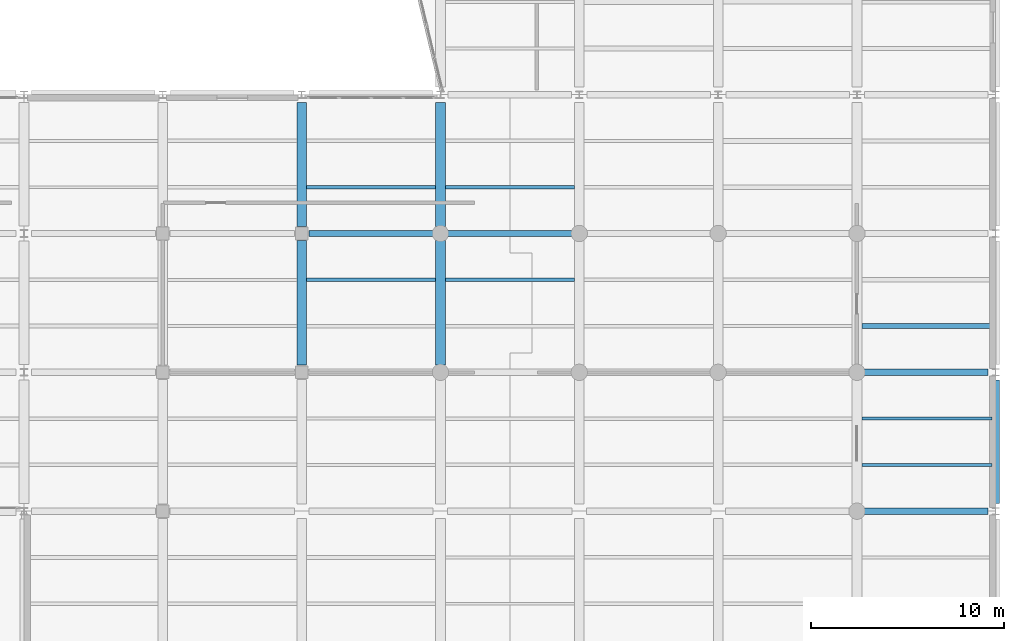
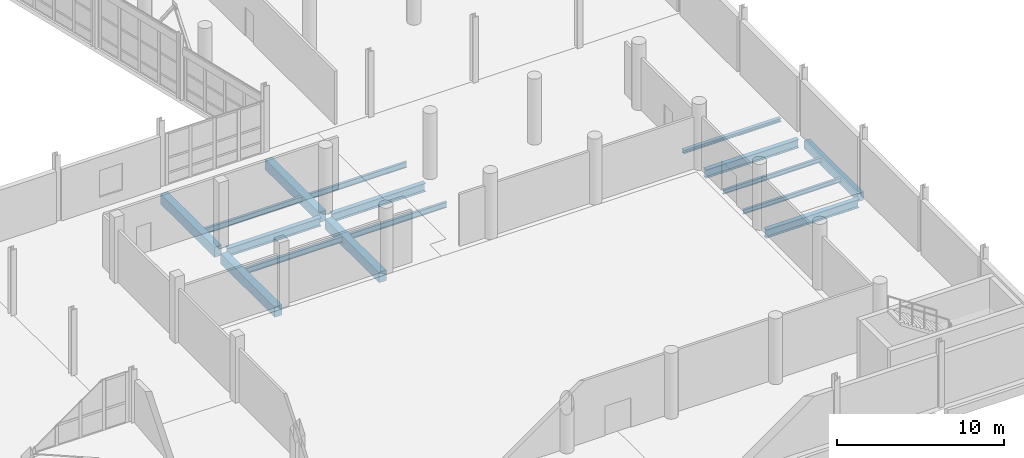
# One storey, part 61 of 127: 16 beams.
"""IFC4 building model written with IfcOpenShell, lengths in metres."""

from ifc_helpers import new_model, si_unit, direction, frame, origin, origin_2d, place, context, subcontext, project, spatial, rectangle, i_section, extrude, material, material_profile, profile_set, type_object, element, save


model = new_model("IFC4")

# Units and contexts
model_context = context("Model", 3, precision=1e-05, world=origin(), true_north=direction((0.0, 1.0)))
body_context = subcontext(model_context, "Body", "Model", "MODEL_VIEW")
ifc_project = project(units=[si_unit("LENGTHUNIT", "METRE"), si_unit("AREAUNIT", "SQUARE_METRE"), si_unit("VOLUMEUNIT", "CUBIC_METRE"), si_unit("PLANEANGLEUNIT", "RADIAN"), si_unit("MASSUNIT", "GRAM", prefix="KILO")], contexts=[model_context])

# Site, building, storey
site_placement = place(None, origin())
site = spatial("IfcSite", under=ifc_project, at=site_placement, CompositionType="ELEMENT")
building_placement = place(site_placement, origin())
building = spatial("IfcBuilding", under=site, at=building_placement, Name="Kalmorath City Hall", CompositionType="ELEMENT")
storey_placement = place(building_placement, frame((0.0, 0.0, 5.39990234375)))
storey = spatial("IfcBuildingStorey", under=building, at=storey_placement, Name="L01", CompositionType="ELEMENT", Elevation=5.39990234375)

# Beams
ifc_material_1 = material(Name="Concrete C40/50", Category="concrete")
ifc_material_profile_1 = material_profile(ifc_material_1, rectangle(XDim=0.39990234375, YDim=0.60009765625, at=origin_2d()), Name="RC-BM-400X600")
ifc_profile_set_1 = profile_set([ifc_material_profile_1], Name="Concrete C40/50")
beam_type_1 = type_object("IfcBeamType", Name="Concrete edge beam 400x600", PredefinedType="SPANDREL", material=ifc_profile_set_1)
beam_1_placement = place(storey_placement, frame((165.60009765625, 22.0, -0.6240234375), z_axis=(0.0, 1.0, 0.0), x_axis=(-1.0, 0.0, 0.0)))
element("IfcBeam", 1, at=beam_1_placement, inside=storey, type_object=beam_type_1, Name="L01 girder CB6 Y24/4-5", PredefinedType="SPANDREL", context=body_context, shape_type="SweptSolid", body=[
    extrude(rectangle(XDim=0.39990234375, YDim=0.60009765625, at=origin_2d()), origin(), (0.0, 0.0, 1.0), 6.39990234375),
])
ifc_material_2 = material(Name="Concrete C40/50", Category="concrete")
ifc_material_profile_2 = material_profile(ifc_material_2, rectangle(XDim=0.5, YDim=0.75, at=origin_2d()), Name="RC-BM-500X750")
ifc_profile_set_2 = profile_set([ifc_material_profile_2], Name="Concrete C40/50")
beam_type_2 = type_object("IfcBeamType", Name="Concrete floor beam 500x750", PredefinedType="BEAM", material=ifc_profile_set_2)
beam_2_placement = place(storey_placement, frame((129.60009765625, 29.175048828125, -0.698974609375), z_axis=(0.0, 1.0, 0.0), x_axis=(-1.0, 0.0, 0.0)))
element("IfcBeam", 2, at=beam_2_placement, inside=storey, type_object=beam_type_2, Name="L01 girder CB3 Y19/5-6", PredefinedType="BEAM", context=body_context, shape_type="SweptSolid", body=[
    extrude(rectangle(XDim=0.5, YDim=0.75, at=origin_2d()), origin(), (0.0, 0.0, 1.0), 6.449951171875),
])
beam_3_placement = place(storey_placement, frame((129.60009765625, 36.375, -0.698974609375), z_axis=(0.0, 1.0, 0.0), x_axis=(-1.0, 0.0, 0.0)))
element("IfcBeam", 3, at=beam_3_placement, inside=storey, type_object=beam_type_2, Name="L01 girder CB3 Y19/6-7", PredefinedType="BEAM", context=body_context, shape_type="SweptSolid", body=[
    extrude(rectangle(XDim=0.5, YDim=0.75, at=origin_2d()), origin(), (0.0, 0.0, 1.0), 6.425048828125),
])
beam_4_placement = place(storey_placement, frame((136.800048828125, 29.175048828125, -0.698974609375), z_axis=(0.0, 1.0, 0.0), x_axis=(-1.0, 0.0, 0.0)))
element("IfcBeam", 4, at=beam_4_placement, inside=storey, type_object=beam_type_2, Name="L01 girder CB3 Y20/5-6", PredefinedType="BEAM", context=body_context, shape_type="SweptSolid", body=[
    extrude(rectangle(XDim=0.5, YDim=0.75, at=origin_2d()), origin(), (0.0, 0.0, 1.0), 6.449951171875),
])
beam_5_placement = place(storey_placement, frame((136.800048828125, 36.375, -0.698974609375), z_axis=(0.0, 1.0, 0.0), x_axis=(-1.0, 0.0, 0.0)))
element("IfcBeam", 5, at=beam_5_placement, inside=storey, type_object=beam_type_2, Name="L01 girder CB3 Y20/6-7", PredefinedType="BEAM", context=body_context, shape_type="SweptSolid", body=[
    extrude(rectangle(XDim=0.5, YDim=0.75, at=origin_2d()), origin(), (0.0, 0.0, 1.0), 6.425048828125),
])
ifc_material_3 = material(Name="Steel ASTM A992 Grade 50", Category="steel")
ifc_material_profile_3 = material_profile(ifc_material_3, i_section(OverallWidth=0.177001953125, OverallDepth=0.403076171875, WebThickness=0.007568359375, FlangeThickness=0.010986328125, FilletRadius=0.012939453125, at=origin_2d()), Name="W16X36")
ifc_profile_set_3 = profile_set([ifc_material_profile_3], Name="Steel ASTM A992 Grade 50")
beam_type_3 = type_object("IfcBeamType", Name="Steel composite joist W16X36", PredefinedType="JOIST", material=ifc_profile_set_3)
beam_6_placement = place(storey_placement, frame((137.050048828125, 38.39990234375, -0.525390625), z_axis=(1.0, 0.0, 0.0), x_axis=(0.0, 1.0, 0.0)))
element("IfcBeam", 6, at=beam_6_placement, inside=storey, type_object=beam_type_3, Name="L01 joist SJ7 20.6.1", PredefinedType="JOIST", context=body_context, shape_type="SweptSolid", body=[
    extrude(i_section(OverallWidth=0.177001953125, OverallDepth=0.403076171875, WebThickness=0.007568359375, FlangeThickness=0.010986328125, FilletRadius=0.012939453125, at=origin_2d()), origin(), (0.0, 0.0, 1.0), 6.699951171875),
])
ifc_material_4 = material(Name="Steel ASTM A992 Grade 50", Category="steel")
ifc_material_profile_4 = material_profile(ifc_material_4, i_section(OverallWidth=0.178955078125, OverallDepth=0.409912109375, WebThickness=0.0087890625, FlangeThickness=0.014404296875, FilletRadius=0.012939453125, at=origin_2d()), Name="W16X45")
ifc_profile_set_4 = profile_set([ifc_material_profile_4], Name="Steel ASTM A992 Grade 50")
beam_type_4 = type_object("IfcBeamType", Name="Steel composite joist W16X45", PredefinedType="JOIST", material=ifc_profile_set_4)
for number, where, z_axis, x_axis, name in (
    (7, (129.85009765625, 38.39990234375, -0.52880859375), (1.0, 0.0, 0.0), (0.0, 1.0, 0.0), "L01 joist SJ6 19.6.1"),
    (8, (137.050048828125, 33.60009765625, -0.52880859375), (1.0, 0.0, 0.0), (0.0, 1.0, 0.0), "L01 joist SJ6 20.5.2"),
):
    element("IfcBeam", number, at=place(storey_placement, frame(where, z_axis=z_axis, x_axis=x_axis)), inside=storey, type_object=beam_type_4, Name=name, PredefinedType="JOIST", context=body_context, shape_type="SweptSolid", body=[
        extrude(i_section(OverallWidth=0.178955078125, OverallDepth=0.409912109375, WebThickness=0.0087890625, FlangeThickness=0.014404296875, FilletRadius=0.012939453125, at=origin_2d()), origin(), (0.0, 0.0, 1.0), 6.699951171875),
    ])
ifc_material_5 = material(Name="Steel ASTM A992 Grade 50", Category="steel")
ifc_material_profile_5 = material_profile(ifc_material_5, i_section(OverallWidth=0.180908203125, OverallDepth=0.4169921875, WebThickness=0.010986328125, FlangeThickness=0.018310546875, FilletRadius=0.012939453125, at=origin_2d()), Name="W16X57")
ifc_profile_set_5 = profile_set([ifc_material_profile_5], Name="Steel ASTM A992 Grade 50")
beam_type_5 = type_object("IfcBeamType", Name="Steel composite joist W16X57", PredefinedType="JOIST", material=ifc_profile_set_5)
beam_7_placement = place(storey_placement, frame((129.85009765625, 33.60009765625, -0.532470703125), z_axis=(1.0, 0.0, 0.0), x_axis=(0.0, 1.0, 0.0)))
element("IfcBeam", 9, at=beam_7_placement, inside=storey, type_object=beam_type_5, Name="L01 joist SJ5 19.5.2", PredefinedType="JOIST", context=body_context, shape_type="SweptSolid", body=[
    extrude(i_section(OverallWidth=0.180908203125, OverallDepth=0.4169921875, WebThickness=0.010986328125, FlangeThickness=0.018310546875, FilletRadius=0.012939453125, at=origin_2d()), origin(), (0.0, 0.0, 1.0), 6.699951171875),
])
ifc_material_6 = material(Name="Steel ASTM A992 Grade 50", Category="steel")
ifc_material_profile_6 = material_profile(ifc_material_6, i_section(OverallWidth=0.323974609375, OverallDepth=0.611083984375, WebThickness=0.0126953125, FlangeThickness=0.01904296875, FilletRadius=0.01611328125, at=origin_2d()), Name="W24X104")
ifc_profile_set_6 = profile_set([ifc_material_profile_6], Name="Steel ASTM A992 Grade 50")
beam_type_6 = type_object("IfcBeamType", Name="Steel floor girder W24X104", PredefinedType="BEAM", material=ifc_profile_set_6)
for number, where, z_axis, x_axis, name in (
    (10, (158.77490234375, 21.60009765625, -0.62939453125), (1.0, 0.0, 0.0), (0.0, 1.0, 0.0), "L01 girder SG7 X23-24/4"),
    (11, (158.77490234375, 28.800048828125, -0.62939453125), (1.0, 0.0, 0.0), (0.0, 1.0, 0.0), "L01 girder SG7 X23-24/5"),
):
    element("IfcBeam", number, at=place(storey_placement, frame(where, z_axis=z_axis, x_axis=x_axis)), inside=storey, type_object=beam_type_6, Name=name, PredefinedType="BEAM", context=body_context, shape_type="SweptSolid", body=[
        extrude(i_section(OverallWidth=0.323974609375, OverallDepth=0.611083984375, WebThickness=0.0126953125, FlangeThickness=0.01904296875, FilletRadius=0.01611328125, at=origin_2d()), origin(), (0.0, 0.0, 1.0), 6.425048828125),
    ])
for number, where, z_axis, x_axis, name in (
    (12, (129.97509765625, 36.0, -0.62939453125), (1.0, 0.0, 0.0), (0.0, 1.0, 0.0), "L01 girder SG7 X19-20/6"),
    (13, (137.175048828125, 36.0, -0.62939453125), (1.0, 0.0, 0.0), (0.0, 1.0, 0.0), "L01 girder SG7 X20-21/6"),
):
    element("IfcBeam", number, at=place(storey_placement, frame(where, z_axis=z_axis, x_axis=x_axis)), inside=storey, type_object=beam_type_6, Name=name, PredefinedType="BEAM", context=body_context, shape_type="SweptSolid", body=[
        extrude(i_section(OverallWidth=0.323974609375, OverallDepth=0.611083984375, WebThickness=0.0126953125, FlangeThickness=0.01904296875, FilletRadius=0.01611328125, at=origin_2d()), origin(), (0.0, 0.0, 1.0), 6.449951171875),
    ])
ifc_material_7 = material(Name="Steel ASTM A992 Grade 50", Category="steel")
ifc_material_profile_7 = material_profile(ifc_material_7, i_section(OverallWidth=0.1669921875, OverallDepth=0.318115234375, WebThickness=0.007568359375, FlangeThickness=0.01318359375, FilletRadius=0.012939453125, at=origin_2d()), Name="W12X35")
ifc_profile_set_7 = profile_set([ifc_material_profile_7], Name="Steel ASTM A992 Grade 50")
beam_type_7 = type_object("IfcBeamType", Name="Steel header lintel W12X35", PredefinedType="LINTEL", material=ifc_profile_set_7)
for number, where, z_axis, x_axis, name in (
    (14, (158.64990234375, 24.0, -0.48291015625), (1.0, 0.0, 0.0), (0.0, 1.0, 0.0), "L01 joist SJ13 23.4.1"),
    (15, (158.64990234375, 26.39990234375, -0.48291015625), (1.0, 0.0, 0.0), (0.0, 1.0, 0.0), "L01 joist SJ13 23.4.2"),
):
    element("IfcBeam", number, at=place(storey_placement, frame(where, z_axis=z_axis, x_axis=x_axis)), inside=storey, type_object=beam_type_7, Name=name, PredefinedType="LINTEL", context=body_context, shape_type="SweptSolid", body=[
        extrude(i_section(OverallWidth=0.1669921875, OverallDepth=0.318115234375, WebThickness=0.007568359375, FlangeThickness=0.01318359375, FilletRadius=0.012939453125, at=origin_2d()), origin(), (0.0, 0.0, 1.0), 6.75),
    ])
ifc_material_8 = material(Name="Steel ASTM A992 Grade 50", Category="steel")
ifc_material_profile_8 = material_profile(ifc_material_8, i_section(OverallWidth=0.25390625, OverallDepth=0.2529296875, WebThickness=0.008544921875, FlangeThickness=0.01416015625, FilletRadius=0.011962890625, at=origin_2d()), Name="W10X49")
ifc_profile_set_8 = profile_set([ifc_material_profile_8], Name="Steel ASTM A992 Grade 50")
beam_type_8 = type_object("IfcBeamType", Name="Steel trimmer beam W10X49", PredefinedType="BEAM", material=ifc_profile_set_8)
beam_8_placement = place(storey_placement, frame((158.64990234375, 31.199951171875, -0.450439453125), z_axis=(1.0, 0.0, 0.0), x_axis=(0.0, 1.0, 0.0)))
element("IfcBeam", 16, at=beam_8_placement, inside=storey, type_object=beam_type_8, Name="L01 joist SJ14 23.5.1", PredefinedType="BEAM", context=body_context, shape_type="SweptSolid", body=[
    extrude(i_section(OverallWidth=0.25390625, OverallDepth=0.2529296875, WebThickness=0.008544921875, FlangeThickness=0.01416015625, FilletRadius=0.011962890625, at=origin_2d()), origin(), (0.0, 0.0, 1.0), 6.75),
])

save(model, "model.ifc")
